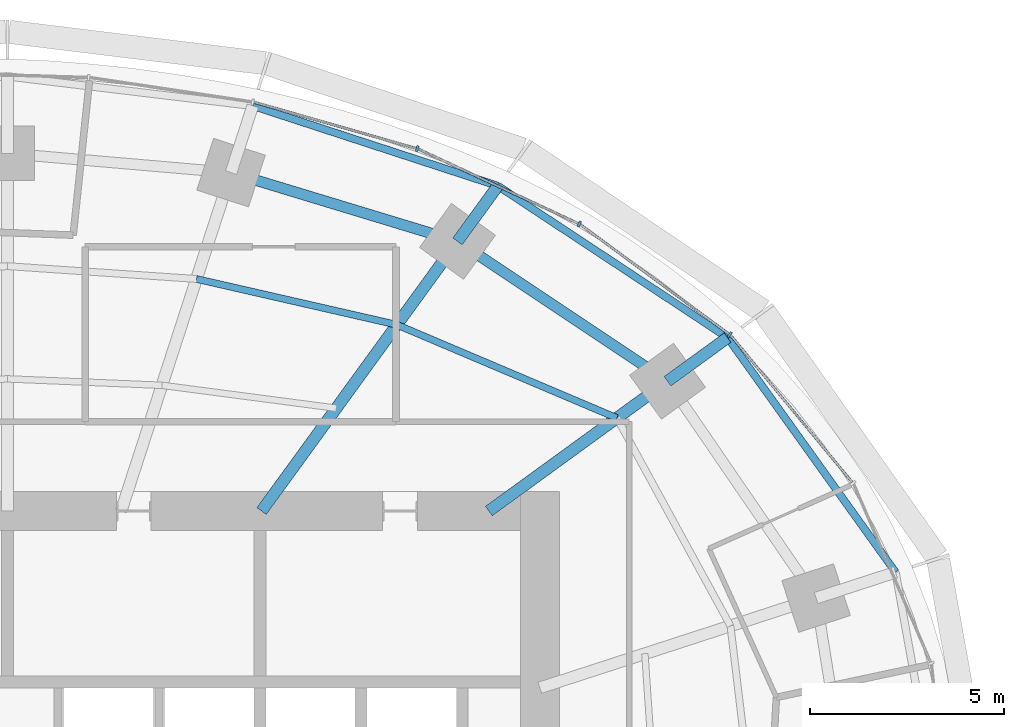
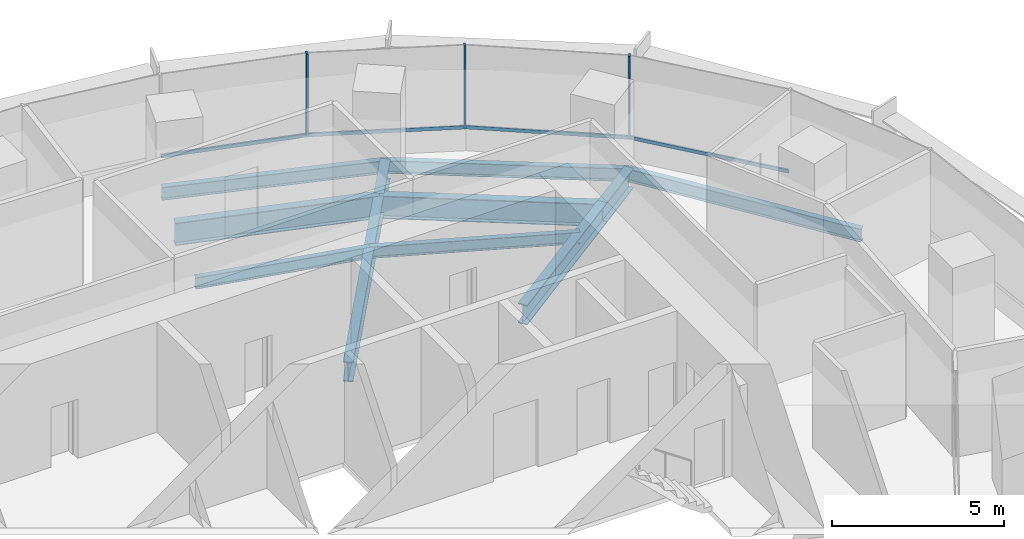
# One storey, part 8 of 15: 11 beams, 7 members, 2 elements without a shape of their own.
"""IFC4 building model written with IfcOpenShell, lengths in metres."""

import ifcopenshell
import ifcopenshell.guid

model = None  # the IFC model being written
_history = None  # IfcOwnerHistory: only IFC2X3 demands one
_inside = {}  # id of a spatial element -> (the spatial element, [elements in it])
_under = {}  # id of a project, library or spatial element -> (it, [spatial elements below it])
_declared = {}  # id of a project -> (the project, [libraries it declares])
_typed = {}  # id of a type object -> (the type object, [elements of that type])
_made_of = {}  # id of a material, layer set ... -> (it, [elements and type objects made of it])


def new_model(schema):
    """Start an empty IFC model of exactly this schema.

    Asked for "IFC4X3", IfcOpenShell would pick the latest addendum, in which some entities
    have other attributes; the version numbers below select the first issue.
    IFC2X3 requires an IfcOwnerHistory on every rooted entity: one is made here for all.
    """
    global model, _history
    if schema == "IFC4X3":
        model = ifcopenshell.file(schema_version=(4, 3, 0, 0))
    else:
        model = ifcopenshell.file(schema=schema)
    _inside.clear()
    _under.clear()
    _declared.clear()
    _typed.clear()
    _made_of.clear()
    _history = None
    if model.schema == "IFC2X3":
        org = make("IfcOrganization", Name="unknown")
        user = make(
            "IfcPersonAndOrganization",
            ThePerson=make("IfcPerson", FamilyName="unknown"),
            TheOrganization=org,
        )
        app = make(
            "IfcApplication",
            ApplicationDeveloper=org,
            Version="unknown",
            ApplicationFullName="unknown",
            ApplicationIdentifier="unknown",
        )
        _history = make(
            "IfcOwnerHistory",
            OwningUser=user,
            OwningApplication=app,
            ChangeAction="ADDED",
            CreationDate=0,
        )
    return model


def make(cls, **values):
    """One entity of the class cls with the attributes given. An attribute that is None is left unset."""
    return model.create_entity(
        cls, **{name: value for name, value in values.items() if value is not None}
    )


def rooted(cls, **values):
    """An entity with a GlobalId (a new one), such as an element, a storey or a relation."""
    return make(cls, GlobalId=ifcopenshell.guid.new(), OwnerHistory=_history, **values)


def si_unit(unit_type, name, prefix=None):
    """IfcSIUnit, for example si_unit("LENGTHUNIT", "METRE", prefix="MILLI")."""
    return make("IfcSIUnit", UnitType=unit_type, Prefix=prefix, Name=name)


def assignment(units):
    """IfcUnitAssignment: the units of a project."""
    return None if units is None else make("IfcUnitAssignment", Units=units)


def point(xyz):
    """IfcCartesianPoint."""
    return None if xyz is None else make("IfcCartesianPoint", Coordinates=xyz)


def direction(xyz):
    """IfcDirection."""
    return None if xyz is None else make("IfcDirection", DirectionRatios=xyz)


def frame(location, z_axis=None, x_axis=None):
    """IfcAxis2Placement3D, a coordinate frame: its origin and axes. An axis left out is left unset."""
    return make(
        "IfcAxis2Placement3D",
        Location=point(location),
        Axis=direction(z_axis),
        RefDirection=direction(x_axis),
    )


def frame_2d(location, x_axis=None):
    """IfcAxis2Placement2D, a coordinate frame in the plane: its origin and x axis."""
    return make(
        "IfcAxis2Placement2D", Location=point(location), RefDirection=direction(x_axis)
    )


def origin():
    """The frame at (0, 0, 0) with its axes left unset."""
    return frame((0.0, 0.0, 0.0))


def origin_2d():
    """The frame at (0, 0) in the plane with its x axis left unset."""
    return frame_2d((0.0, 0.0))


def place(relative_to, where):
    """IfcLocalPlacement: puts the frame where relative to a parent placement (None: the world)."""
    return make(
        "IfcLocalPlacement", PlacementRelTo=relative_to, RelativePlacement=where
    )


def context(
    kind, dimensions, precision=None, world=None, true_north=None, identifier=None
):
    """IfcGeometricRepresentationContext, for example the 3D "Model" context."""
    return make(
        "IfcGeometricRepresentationContext",
        ContextIdentifier=identifier,
        ContextType=kind,
        CoordinateSpaceDimension=dimensions,
        Precision=precision,
        WorldCoordinateSystem=world,
        TrueNorth=true_north,
    )


def subcontext(parent, identifier, kind, view, scale=None):
    """IfcGeometricRepresentationSubContext, for example "Body" below "Model"."""
    return make(
        "IfcGeometricRepresentationSubContext",
        ContextIdentifier=identifier,
        ContextType=kind,
        ParentContext=parent,
        TargetScale=scale,
        TargetView=view,
    )


def project(units=None, contexts=None):
    """IfcProject with its units and contexts."""
    return rooted(
        "IfcProject",
        Name="project",
        RepresentationContexts=contexts,
        UnitsInContext=assignment(units),
    )


def spatial(cls, under=None, at=None, **own):
    """A site, building, storey or space (cls), placed at a placement, below another one or the project."""
    s = rooted(cls, ObjectPlacement=at, **own)
    if under is not None:
        _under.setdefault(under.id(), (under, []))[1].append(s)
    return s


def profile(cls, at=None, kind="AREA", **sizes):
    """A parametric profile (cls). Its sizes go by their IFC names, for example OverallWidth=200.0."""
    return make(cls, ProfileType=kind, Position=at, **sizes)


def rectangle(**sizes):
    """IfcRectangleProfileDef."""
    return profile("IfcRectangleProfileDef", **sizes)


def i_section(**sizes):
    """IfcIShapeProfileDef."""
    return profile("IfcIShapeProfileDef", **sizes)


def extrude(swept, where, along, depth):
    """IfcExtrudedAreaSolid: the profile swept, set in the frame where, extruded along a direction by depth."""
    return make(
        "IfcExtrudedAreaSolid",
        SweptArea=swept,
        Position=where,
        ExtrudedDirection=direction(along),
        Depth=depth,
    )


def shape(context_of_items, identifier, shape_type, items):
    """IfcShapeRepresentation: the items that make up one representation, for example the "Body"."""
    return make(
        "IfcShapeRepresentation",
        ContextOfItems=context_of_items,
        RepresentationIdentifier=identifier,
        RepresentationType=shape_type,
        Items=items,
    )


def material(Name=None, Category=None):
    """IfcMaterial."""
    return make("IfcMaterial", Name=Name, Category=Category)


def material_profile(
    of_material, cross_section, Name=None, Category=None, Priority=None
):
    """IfcMaterialProfile: a cross section and its material."""
    return make(
        "IfcMaterialProfile",
        Name=Name,
        Material=of_material,
        Profile=cross_section,
        Priority=Priority,
        Category=Category,
    )


def profile_set(profiles, Name=None, composite=None):
    """IfcMaterialProfileSet."""
    return make(
        "IfcMaterialProfileSet",
        Name=Name,
        MaterialProfiles=profiles,
        CompositeProfile=composite,
    )


def made_of(thing, what):
    """Note that an element or type object is made of a material, layer set ...; save() writes the relation."""
    if what is not None:
        _made_of.setdefault(what.id(), (what, []))[1].append(thing)
    return thing


def type_object(cls, material=None, **own):
    """A type object (cls), such as IfcWallType, which elements share."""
    return made_of(rooted(cls, **own), material)


def element(
    cls,
    number,
    at=None,
    inside=None,
    cuts=None,
    type_object=None,
    material=None,
    context=None,
    identifier="Body",
    shape_type=None,
    held_by="IfcProductDefinitionShape",
    body=None,
    shapes=None,
    **own,
):
    """One element of the class cls, such as IfcWall. Its Tag is "e" and its number.

    at: its placement. inside: the storey or other place that contains it. cuts: it is an
    opening in that element (IfcRelVoidsElement). A single representation is given by context,
    identifier, shape_type and body (its items); several are given by shapes. held_by: the class
    of the entity that holds the representations. save() writes the other relations.
    """
    e = rooted(cls, Tag="e%d" % number, ObjectPlacement=at, **own)
    if body is not None:
        shapes = [shape(context, identifier, shape_type, body)]
    if shapes is not None:
        e.Representation = make(held_by, Representations=shapes)
    if inside is not None:
        _inside.setdefault(inside.id(), (inside, []))[1].append(e)
    if cuts is not None:
        rooted(
            "IfcRelVoidsElement", RelatingBuildingElement=cuts, RelatedOpeningElement=e
        )
    if type_object is not None:
        _typed.setdefault(type_object.id(), (type_object, []))[1].append(e)
    return made_of(e, material)


def aggregate(whole, parts):
    """IfcRelAggregates: a whole, such as a stair, and the parts it consists of."""
    return rooted("IfcRelAggregates", RelatingObject=whole, RelatedObjects=parts)


def save(model, path):
    """Write the relations noted so far, then the file.

    IfcRelAggregates (storeys below a building ...), IfcRelContainedInSpatialStructure (elements
    in a storey), IfcRelDefinesByType, IfcRelAssociatesMaterial and IfcRelDeclares: one each for
    every whole, place, type object, material and project.
    """
    for whole, parts in _under.values():
        aggregate(whole, parts)
    for where, things in _inside.values():
        rooted(
            "IfcRelContainedInSpatialStructure",
            RelatedElements=things,
            RelatingStructure=where,
        )
    for kind, things in _typed.values():
        rooted("IfcRelDefinesByType", RelatedObjects=things, RelatingType=kind)
    for what, things in _made_of.values():
        rooted("IfcRelAssociatesMaterial", RelatedObjects=things, RelatingMaterial=what)
    for by, libraries in _declared.values():
        rooted("IfcRelDeclares", RelatingContext=by, RelatedDefinitions=libraries)
    model.write(path)


model = new_model("IFC4")

# Units and contexts
model_context = context("Model", 3, precision=1e-05, world=origin(), true_north=direction((0.0, 1.0)))
body_context = subcontext(model_context, "Body", "Model", "MODEL_VIEW")
ifc_project = project(units=[si_unit("LENGTHUNIT", "METRE"), si_unit("AREAUNIT", "SQUARE_METRE"), si_unit("VOLUMEUNIT", "CUBIC_METRE"), si_unit("PLANEANGLEUNIT", "RADIAN"), si_unit("MASSUNIT", "GRAM", prefix="KILO")], contexts=[model_context])

# Site, building, storey
site_placement = place(None, origin())
site = spatial("IfcSite", under=ifc_project, at=site_placement, CompositionType="ELEMENT")
building_placement = place(site_placement, origin())
building = spatial("IfcBuilding", under=site, at=building_placement, Name="Marramba Exchange Tower", CompositionType="ELEMENT")
storey_placement = place(building_placement, frame((0.0, 0.0, 211.10009765625)))
storey = spatial("IfcBuildingStorey", under=building, at=storey_placement, Name="L51", CompositionType="ELEMENT", Elevation=211.10009765625)

# Beams
ifc_material_1 = material(Name="Steel AS/NZS 3679.2 grade 300", Category="steel")
ifc_material_profile_1 = material_profile(ifc_material_1, i_section(OverallWidth=0.300048828125, OverallDepth=0.699951171875, WebThickness=0.010009765625, FlangeThickness=0.031982421875, at=origin_2d()), Name="700WB173")
ifc_profile_set_1 = profile_set([ifc_material_profile_1], Name="Steel AS/NZS 3679.2 grade 300")
beam_type_1 = type_object("IfcBeamType", Name="Cantilever girder 700WB173", PredefinedType="BEAM", material=ifc_profile_set_1)
beam_1_placement = place(storey_placement, frame((16.98583984375, 12.3408203125, -0.510009765625), z_axis=(0.808962750283, 0.587859905636, 0.0), x_axis=(-0.587859905636, 0.808962750283, 0.0)))
element("IfcBeam", 1, at=beam_1_placement, inside=storey, type_object=beam_type_1, Name="Cantilever girder L51 TC03", PredefinedType="BEAM", context=body_context, shape_type="SweptSolid", body=[
    extrude(i_section(OverallWidth=0.300048828125, OverallDepth=0.699951171875, WebThickness=0.010009765625, FlangeThickness=0.031982421875, at=origin_2d()), origin(), (0.0, 0.0, 1.0), 1.9091796875),
])
beam_2_placement = place(storey_placement, frame((11.581298828125, 15.9404296875, -0.510009765625), z_axis=(0.587817766387, 0.808993370504, 0.0), x_axis=(-0.808993370504, 0.587817766387, 0.0)))
element("IfcBeam", 2, at=beam_2_placement, inside=storey, type_object=beam_type_1, Name="Cantilever girder L51 TC04", PredefinedType="BEAM", context=body_context, shape_type="SweptSolid", body=[
    extrude(i_section(OverallWidth=0.300048828125, OverallDepth=0.699951171875, WebThickness=0.010009765625, FlangeThickness=0.031982421875, at=origin_2d()), origin(), (0.0, 0.0, 1.0), 1.763916015625),
])
ifc_material_2 = material(Name="Steel AS/NZS 3679.1 grade 300", Category="steel")
ifc_material_profile_2 = material_profile(ifc_material_2, i_section(OverallWidth=0.177978515625, OverallDepth=0.406005859375, WebThickness=0.0078125, FlangeThickness=0.0126953125, FilletRadius=0.011474609375, at=origin_2d()), Name="410UB59.7")
ifc_profile_set_2 = profile_set([ifc_material_profile_2], Name="Steel AS/NZS 3679.1 grade 300")
beam_type_2 = type_object("IfcBeamType", Name="Floor joist 410UB59.7", PredefinedType="JOIST", material=ifc_profile_set_2)
beam_3_placement = place(storey_placement, frame((15.682373046875, 11.393798828125, -0.363037109375), z_axis=(-0.920674336375, 0.390331610738, 0.0), x_axis=(-0.390331610738, -0.920674336375, 0.0)))
element("IfcBeam", 3, at=beam_3_placement, inside=storey, type_object=beam_type_2, Name="Joist L51 bay 03 row 2", PredefinedType="JOIST", context=body_context, shape_type="SweptSolid", body=[
    extrude(i_section(OverallWidth=0.177978515625, OverallDepth=0.406005859375, WebThickness=0.0078125, FlangeThickness=0.0126953125, FilletRadius=0.011474609375, at=origin_2d()), origin(), (0.0, 0.0, 1.0), 6.1484375),
])
beam_4_placement = place(storey_placement, frame((10.021728515625, 13.793701171875, -0.363037109375), z_axis=(-0.974859652292, 0.222819788916, 0.0), x_axis=(-0.222819788916, -0.974859652292, 0.0)))
element("IfcBeam", 4, at=beam_4_placement, inside=storey, type_object=beam_type_2, Name="Joist L51 bay 04 row 2", PredefinedType="JOIST", context=body_context, shape_type="SweptSolid", body=[
    extrude(i_section(OverallWidth=0.177978515625, OverallDepth=0.406005859375, WebThickness=0.0078125, FlangeThickness=0.0126953125, FilletRadius=0.011474609375, at=origin_2d()), origin(), (0.0, 0.0, 1.0), 5.2900390625),
])

# Curtain wall, members
ifc_material_3 = material(Name="Aluminium framing, bronze anodised", Category="aluminium")
curtain_wall_type = type_object("IfcCurtainWallType", Name="Office ribbon curtain wall", PredefinedType="USERDEFINED", material=ifc_material_3)
curtain_wall_1_placement = place(storey_placement, origin())
curtain_wall_1 = element("IfcCurtainWall", 5, at=curtain_wall_1_placement, inside=storey, type_object=curtain_wall_type, Name="Curtain wall CW4 L51 F01-F05", ObjectType="RIBBON CURTAIN WALL", PredefinedType="USERDEFINED")
ifc_material_4 = material(Name="Aluminium mullion, bronze anodised", Category="aluminium")
ifc_material_profile_3 = material_profile(ifc_material_4, rectangle(XDim=0.159912109375, YDim=0.06005859375, at=origin_2d()), Name="CW4 mullion 60x160")
ifc_profile_set_3 = profile_set([ifc_material_profile_3], Name="Aluminium mullion, bronze anodised")
member_type_1 = type_object("IfcMemberType", Name="Office ribbon curtain wall mullion", PredefinedType="MULLION", material=ifc_profile_set_3)
member_1_placement = place(storey_placement, frame((18.587158203125, 13.53955078125, 0.7998046875), z_axis=(0.0, 0.0, 1.0), x_axis=(-0.593441317494, -0.804877259395, 0.0)))
member_1 = element("IfcMember", 6, at=member_1_placement, type_object=member_type_1, Name="CW4 mullion 1", PredefinedType="MULLION", context=body_context, shape_type="SweptSolid", body=[
    extrude(rectangle(XDim=0.159912109375, YDim=0.06005859375, at=origin_2d()), origin(), (0.0, 0.0, 1.0), 2.940185546875),
])
member_2_placement = place(storey_placement, frame((14.7158203125, 16.386474609375, 0.7998046875), z_axis=(0.0, 0.0, 1.0), x_axis=(-0.422133006189, -0.906533907301, 0.0)))
member_2 = element("IfcMember", 7, at=member_2_placement, type_object=member_type_1, Name="CW4 mullion 1", PredefinedType="MULLION", context=body_context, shape_type="SweptSolid", body=[
    extrude(rectangle(XDim=0.159912109375, YDim=0.06005859375, at=origin_2d()), origin(), (0.0, 0.0, 1.0), 2.940185546875),
])

# Curtain wall, member
curtain_wall_2_placement = place(storey_placement, origin())
curtain_wall_2 = element("IfcCurtainWall", 8, at=curtain_wall_2_placement, inside=storey, type_object=curtain_wall_type, Name="Curtain wall CW4 L51 F06-F10", ObjectType="RIBBON CURTAIN WALL", PredefinedType="USERDEFINED")
member_3_placement = place(storey_placement, frame((10.54541015625, 18.3232421875, 0.7998046875), z_axis=(0.0, 0.0, 1.0), x_axis=(-0.274248164656, -0.961658954195, 0.0)))
member_3 = element("IfcMember", 9, at=member_3_placement, type_object=member_type_1, Name="CW4 mullion 1", PredefinedType="MULLION", context=body_context, shape_type="SweptSolid", body=[
    extrude(rectangle(XDim=0.159912109375, YDim=0.06005859375, at=origin_2d()), origin(), (0.0, 0.0, 1.0), 2.940185546875),
])

# Member
ifc_material_5 = material(Name="Aluminium transom, bronze anodised", Category="aluminium")
ifc_material_profile_4 = material_profile(ifc_material_5, rectangle(XDim=0.06005859375, YDim=0.1201171875, at=origin_2d()), Name="CW4 transom 60x120")
ifc_profile_set_4 = profile_set([ifc_material_profile_4], Name="Aluminium transom, bronze anodised")
member_type_2 = type_object("IfcMemberType", Name="Office ribbon curtain wall transom", PredefinedType="USERDEFINED", material=ifc_profile_set_4)
member_4_placement = place(storey_placement, frame((21.73779296875, 9.74169921875, 0.829833984375), z_axis=(-0.637375191043, 0.770553609973, 0.0), x_axis=(-0.770553609973, -0.637375191043, 0.0)))
member_4 = element("IfcMember", 10, at=member_4_placement, type_object=member_type_2, Name="CW4 sill transom", ObjectType="TRANSOM", PredefinedType="USERDEFINED", context=body_context, shape_type="SweptSolid", body=[
    extrude(rectangle(XDim=0.06005859375, YDim=0.1201171875, at=origin_2d()), origin(), (0.0, 0.0, 1.0), 4.905517578125),
])

member_5_placement = place(storey_placement, frame((18.56298828125, 13.557373046875, 0.829833984375), z_axis=(-0.804874780157, 0.593444680039, 0.0), x_axis=(-0.593444680039, -0.804874780157, 0.0)))
member_5 = element("IfcMember", 11, at=member_5_placement, type_object=member_type_2, Name="CW4 sill transom", ObjectType="TRANSOM", PredefinedType="USERDEFINED", context=body_context, shape_type="SweptSolid", body=[
    extrude(rectangle(XDim=0.06005859375, YDim=0.1201171875, at=origin_2d()), origin(), (0.0, 0.0, 1.0), 4.745849609375),
])

member_6_placement = place(storey_placement, frame((14.688720703125, 16.399169921875, 0.829833984375), z_axis=(-0.906548348139, 0.422101992989, 0.0), x_axis=(-0.422101992989, -0.906548348139, 0.0)))
member_6 = element("IfcMember", 12, at=member_6_placement, type_object=member_type_2, Name="CW4 sill transom", ObjectType="TRANSOM", PredefinedType="USERDEFINED", context=body_context, shape_type="SweptSolid", body=[
    extrude(rectangle(XDim=0.06005859375, YDim=0.1201171875, at=origin_2d()), origin(), (0.0, 0.0, 1.0), 4.53857421875),
])

aggregate(curtain_wall_1, [member_4, member_1, member_5, member_2, member_6])

member_7_placement = place(storey_placement, frame((10.5166015625, 18.33154296875, 0.829833984375), z_axis=(-0.961661807825, 0.274238158125, 0.0), x_axis=(-0.274238158125, -0.961661807825, 0.0)))
member_7 = element("IfcMember", 13, at=member_7_placement, type_object=member_type_2, Name="CW4 sill transom", ObjectType="TRANSOM", PredefinedType="USERDEFINED", context=body_context, shape_type="SweptSolid", body=[
    extrude(rectangle(XDim=0.06005859375, YDim=0.1201171875, at=origin_2d()), origin(), (0.0, 0.0, 1.0), 4.340087890625),
])

aggregate(curtain_wall_2, [member_3, member_7])

# Beams
ifc_material_profile_5 = material_profile(ifc_material_1, i_section(OverallWidth=0.300048828125, OverallDepth=0.699951171875, WebThickness=0.010009765625, FlangeThickness=0.031982421875, at=origin_2d()), Name="700WB173")
ifc_profile_set_5 = profile_set([ifc_material_profile_5], Name="Steel AS/NZS 3679.2 grade 300")
beam_type_3 = type_object("IfcBeamType", Name="Radial girder 700WB173", PredefinedType="BEAM", material=ifc_profile_set_5)
beam_5_placement = place(storey_placement, frame((12.387451171875, 9.0, -0.510009765625), z_axis=(0.809025746925, 0.587773205252, 0.0), x_axis=(-0.587773205252, 0.809025746925, 0.0)))
element("IfcBeam", 14, at=beam_5_placement, inside=storey, type_object=beam_type_3, Name="Radial girder L51 TC03", PredefinedType="BEAM", context=body_context, shape_type="SweptSolid", body=[
    extrude(i_section(OverallWidth=0.300048828125, OverallDepth=0.699951171875, WebThickness=0.010009765625, FlangeThickness=0.031982421875, at=origin_2d()), origin(), (0.0, 0.0, 1.0), 5.683837890625),
])
beam_6_placement = place(storey_placement, frame((6.538818359375, 9.0, -0.510009765625), z_axis=(0.587782439969, 0.80901903764, 0.0), x_axis=(-0.80901903764, 0.587782439969, 0.0)))
element("IfcBeam", 15, at=beam_6_placement, inside=storey, type_object=beam_type_3, Name="Radial girder L51 TC04", PredefinedType="BEAM", context=body_context, shape_type="SweptSolid", body=[
    extrude(i_section(OverallWidth=0.300048828125, OverallDepth=0.699951171875, WebThickness=0.010009765625, FlangeThickness=0.031982421875, at=origin_2d()), origin(), (0.0, 0.0, 1.0), 8.578857421875),
])
ifc_material_profile_6 = material_profile(ifc_material_1, i_section(OverallWidth=0.27490234375, OverallDepth=0.800048828125, WebThickness=0.010009765625, FlangeThickness=0.02490234375, at=origin_2d()), Name="800WB168")
ifc_profile_set_6 = profile_set([ifc_material_profile_6], Name="Steel AS/NZS 3679.2 grade 300")
beam_type_4 = type_object("IfcBeamType", Name="Ring beam 800WB168", PredefinedType="SPANDREL", material=ifc_profile_set_6)
beam_7_placement = place(storey_placement, frame((16.98583984375, 12.3408203125, -0.56005859375), z_axis=(-0.832293151443, 0.554335737673, 0.0), x_axis=(-0.554335737673, -0.832293151443, 0.0)))
element("IfcBeam", 16, at=beam_7_placement, inside=storey, type_object=beam_type_4, Name="Ring beam L51 TC03-TC04", PredefinedType="SPANDREL", context=body_context, shape_type="SweptSolid", body=[
    extrude(i_section(OverallWidth=0.27490234375, OverallDepth=0.800048828125, WebThickness=0.010009765625, FlangeThickness=0.02490234375, at=origin_2d()), origin(), (0.0, 0.0, 1.0), 6.49365234375),
])
beam_8_placement = place(storey_placement, frame((11.581298828125, 15.9404296875, -0.56005859375), z_axis=(-0.956924542524, 0.290336735387, 0.0), x_axis=(-0.290336735387, -0.956924542524, 0.0)))
element("IfcBeam", 17, at=beam_8_placement, inside=storey, type_object=beam_type_4, Name="Ring beam L51 TC04-TC05", PredefinedType="SPANDREL", context=body_context, shape_type="SweptSolid", body=[
    extrude(i_section(OverallWidth=0.27490234375, OverallDepth=0.800048828125, WebThickness=0.010009765625, FlangeThickness=0.02490234375, at=origin_2d()), origin(), (0.0, 0.0, 1.0), 6.089599609375),
])
ifc_material_profile_7 = material_profile(ifc_material_2, i_section(OverallWidth=0.19091796875, OverallDepth=0.4599609375, WebThickness=0.010009765625, FlangeThickness=0.01611328125, FilletRadius=0.011474609375, at=origin_2d()), Name="460UB82.1")
ifc_profile_set_7 = profile_set([ifc_material_profile_7], Name="Steel AS/NZS 3679.1 grade 300")
beam_type_5 = type_object("IfcBeamType", Name="Slab edge beam 460UB82.1", PredefinedType="SPANDREL", material=ifc_profile_set_7)
beam_9_placement = place(storey_placement, frame((22.853515625, 7.425537109375, -0.39013671875), z_axis=(-0.582189457885, 0.813053156398, 0.0), x_axis=(-0.813053156398, -0.582189457885, 0.0)))
element("IfcBeam", 18, at=beam_9_placement, inside=storey, type_object=beam_type_5, Name="Slab edge beam L51 TC02-TC03", PredefinedType="SPANDREL", context=body_context, shape_type="SweptSolid", body=[
    extrude(i_section(OverallWidth=0.19091796875, OverallDepth=0.4599609375, WebThickness=0.010009765625, FlangeThickness=0.01611328125, FilletRadius=0.011474609375, at=origin_2d()), origin(), (0.0, 0.0, 1.0), 7.42578125),
])
beam_10_placement = place(storey_placement, frame((18.5302734375, 13.463134765625, -0.39013671875), z_axis=(-0.834459826117, 0.551068778463, 0.0), x_axis=(-0.551068778463, -0.834459826117, 0.0)))
element("IfcBeam", 19, at=beam_10_placement, inside=storey, type_object=beam_type_5, Name="Slab edge beam L51 TC03-TC04", PredefinedType="SPANDREL", context=body_context, shape_type="SweptSolid", body=[
    extrude(i_section(OverallWidth=0.19091796875, OverallDepth=0.4599609375, WebThickness=0.010009765625, FlangeThickness=0.01611328125, FilletRadius=0.011474609375, at=origin_2d()), origin(), (0.0, 0.0, 1.0), 7.0849609375),
])
beam_11_placement = place(storey_placement, frame((12.6181640625, 17.367431640625, -0.39013671875), z_axis=(-0.950608559101, 0.310392279809, 0.0), x_axis=(-0.310392279809, -0.950608559101, 0.0)))
element("IfcBeam", 20, at=beam_11_placement, inside=storey, type_object=beam_type_5, Name="Slab edge beam L51 TC04-TC05", PredefinedType="SPANDREL", context=body_context, shape_type="SweptSolid", body=[
    extrude(i_section(OverallWidth=0.19091796875, OverallDepth=0.4599609375, WebThickness=0.010009765625, FlangeThickness=0.01611328125, FilletRadius=0.011474609375, at=origin_2d()), origin(), (0.0, 0.0, 1.0), 6.6337890625),
])

save(model, "model.ifc")
